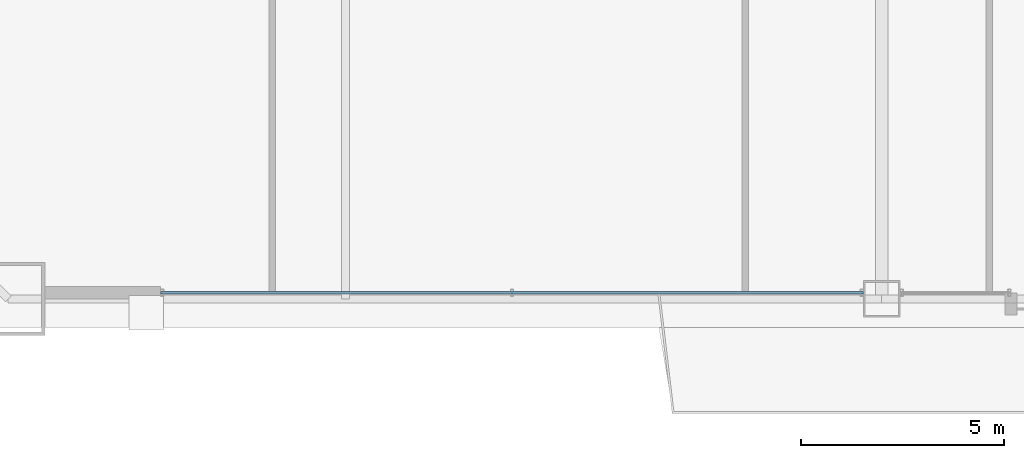
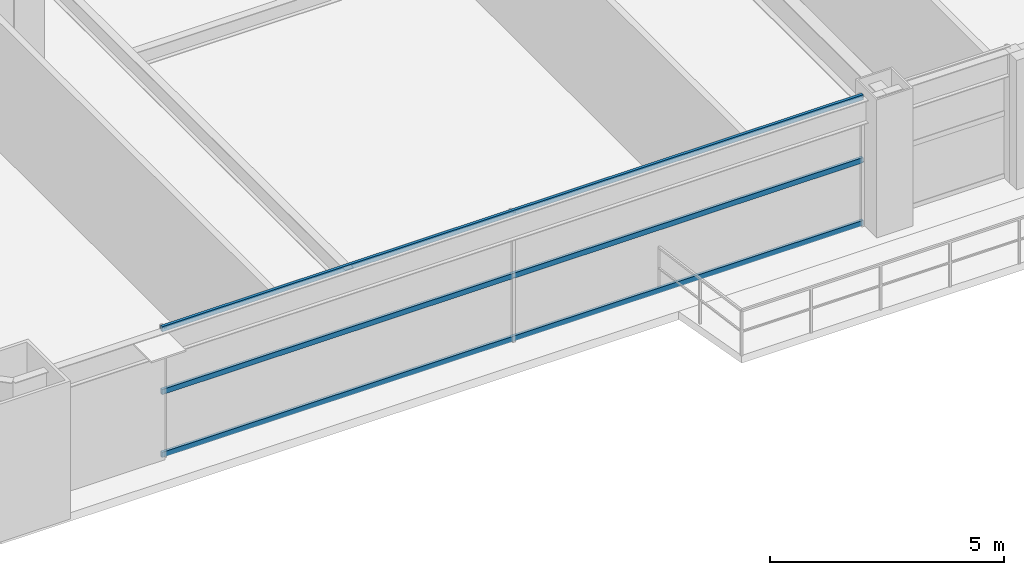
# One storey, part 8 of 43: 3 members, 1 element without a shape of its own.
"""IFC4 building model written with IfcOpenShell, lengths in metres."""

from ifc_helpers import new_model, si_unit, direction, frame, origin, origin_2d, place, context, subcontext, project, spatial, hollow_rectangle, extrude, source, transform, mapped, material, layer, layer_set, material_profile, profile_set, type_object, element, aggregate, save


model = new_model("IFC4")

# Units and contexts
model_context = context("Model", 3, precision=1e-05, world=origin(), true_north=direction((0.0, 1.0)))
body_context = subcontext(model_context, "Body", "Model", "MODEL_VIEW")
ifc_project = project(units=[si_unit("LENGTHUNIT", "METRE"), si_unit("AREAUNIT", "SQUARE_METRE"), si_unit("VOLUMEUNIT", "CUBIC_METRE"), si_unit("PLANEANGLEUNIT", "RADIAN"), si_unit("MASSUNIT", "GRAM", prefix="KILO"), si_unit("THERMODYNAMICTEMPERATUREUNIT", "KELVIN"), si_unit("POWERUNIT", "WATT")], contexts=[model_context])

# Site, building, storey
site_placement = place(None, origin())
site = spatial("IfcSite", under=ifc_project, at=site_placement, CompositionType="ELEMENT")
building_placement = place(site_placement, origin())
building = spatial("IfcBuilding", under=site, at=building_placement, Name="Yuzanri Waterfront Tower", CompositionType="ELEMENT")
storey_placement = place(building_placement, frame((0.0, 0.0, 78.39990234375)))
storey = spatial("IfcBuildingStorey", under=building, at=storey_placement, Name="L20", CompositionType="ELEMENT", Elevation=78.39990234375)

# Curtain wall, members
ifc_material_1 = material(Name="Anodized Architectural Bronze", Category="metal")
ifc_layer = layer(ifc_material_1, 0.159912109375)
ifc_layer_set = layer_set([ifc_layer], Name="Anodized Architectural Bronze")
curtain_wall_type = type_object("IfcCurtainWallType", Name="Anodized Bronze Hotel Lower-Tier Recessed Unitized Curtain Wall 8100", PredefinedType="NOTDEFINED", material=ifc_layer_set)
curtain_wall_placement = place(storey_placement, origin())
curtain_wall = element("IfcCurtainWall", 1, at=curtain_wall_placement, inside=storey, type_object=curtain_wall_type, Name="L20 Curtain Wall CW-L20-SL", PredefinedType="NOTDEFINED")
ifc_material_2 = material(Name="Anodized Architectural Bronze", Category="metal")
ifc_material_profile = material_profile(ifc_material_2, hollow_rectangle(XDim=0.070068359375, YDim=0.135009765625, WallThickness=0.00341796875, at=origin_2d()), Name="CWT 70x135")
ifc_profile_set = profile_set([ifc_material_profile], Name="Anodized Architectural Bronze")
member_type = type_object("IfcMemberType", Name="Anodized Bronze Standard Curtain-Wall Transom 70x135", PredefinedType="USERDEFINED", material=ifc_profile_set)
shared_shape = source(origin(), body_context, "Body", "SweptSolid", [
    extrude(hollow_rectangle(XDim=0.070068359375, YDim=0.135009765625, WallThickness=0.00341796875, at=origin_2d()), origin(), (0.0, 0.0, 1.0), 17.300048828125),
])
member_1_placement = place(storey_placement, frame((19.25, 0.85009765625, 0.050048828125), z_axis=(1.0, 0.0, 0.0), x_axis=(0.0, 1.0, 0.0)))
member_1 = element("IfcMember", 2, at=member_1_placement, type_object=member_type, Name="CW-L20-SL Transom 1", ObjectType="TRANSOM", PredefinedType="USERDEFINED", context=body_context, shape_type="MappedRepresentation", body=[
    mapped(shared_shape, transform((0.0, 0.0, 0.0), scale=1.0)),
])
member_2_placement = place(storey_placement, frame((19.25, 0.85009765625, 1.690185546875), z_axis=(1.0, 0.0, 0.0), x_axis=(0.0, 1.0, 0.0)))
member_2 = element("IfcMember", 3, at=member_2_placement, type_object=member_type, Name="CW-L20-SL Transom 2", ObjectType="TRANSOM", PredefinedType="USERDEFINED", context=body_context, shape_type="MappedRepresentation", body=[
    mapped(shared_shape, transform((0.0, 0.0, 0.0), scale=1.0)),
])
member_3_placement = place(storey_placement, frame((19.25, 0.85009765625, 3.330078125), z_axis=(1.0, 0.0, 0.0), x_axis=(0.0, 1.0, 0.0)))
member_3 = element("IfcMember", 4, at=member_3_placement, type_object=member_type, Name="CW-L20-SL Transom 3", ObjectType="TRANSOM", PredefinedType="USERDEFINED", context=body_context, shape_type="MappedRepresentation", body=[
    mapped(shared_shape, transform((0.0, 0.0, 0.0), scale=1.0)),
])
aggregate(curtain_wall, [member_1, member_2, member_3])

save(model, "model.ifc")
